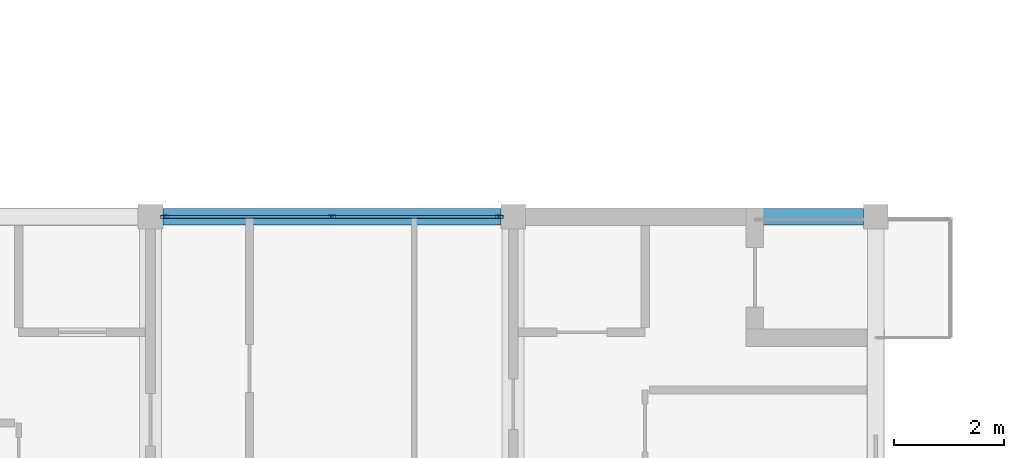
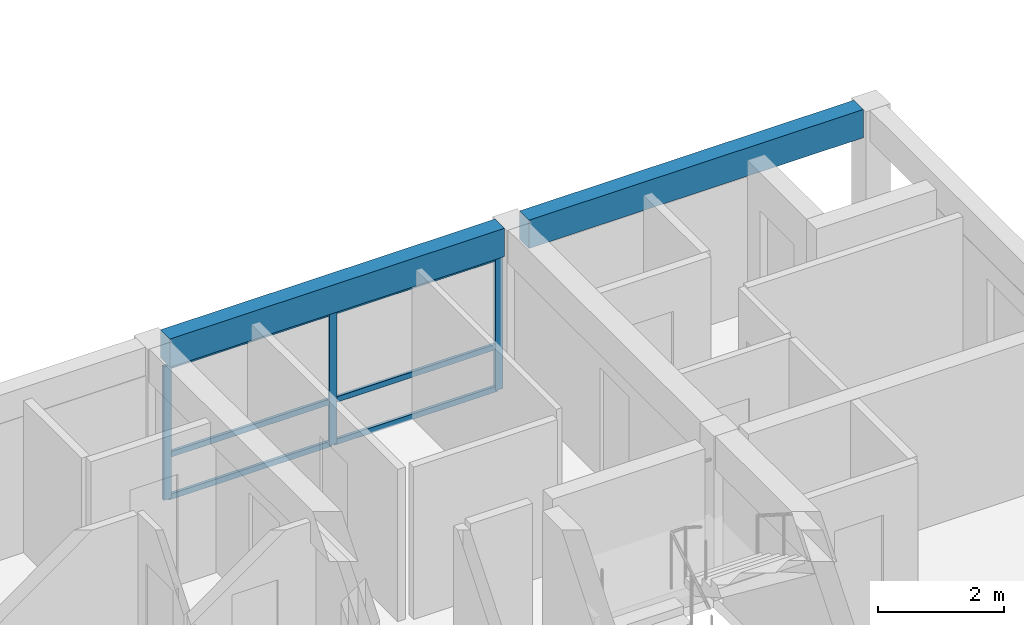
# One storey, part 14 of 45: 9 members, 2 beams, 1 element without a shape of its own.
"""IFC4 building model written with IfcOpenShell, lengths in metres."""

from ifc_helpers import new_model, si_unit, direction, frame, origin, origin_2d, place, context, subcontext, project, spatial, rectangle, hollow_rectangle, extrude, material, material_profile, profile_set, type_object, element, aggregate, save


model = new_model("IFC4")

# Units and contexts
model_context = context("Model", 3, precision=1e-05, world=origin(), true_north=direction((0.0, 1.0)))
body_context = subcontext(model_context, "Body", "Model", "MODEL_VIEW")
ifc_project = project(units=[si_unit("LENGTHUNIT", "METRE"), si_unit("AREAUNIT", "SQUARE_METRE"), si_unit("VOLUMEUNIT", "CUBIC_METRE"), si_unit("PLANEANGLEUNIT", "RADIAN"), si_unit("MASSUNIT", "GRAM", prefix="KILO")], contexts=[model_context])

# Site, building, storey
site_placement = place(None, origin())
site = spatial("IfcSite", under=ifc_project, at=site_placement, CompositionType="ELEMENT")
building_placement = place(site_placement, origin())
building = spatial("IfcBuilding", under=site, at=building_placement, Name="Kernevlak Ridge Housing Community", CompositionType="ELEMENT")
storey_placement = place(building_placement, frame((0.0, 0.0, 21.199951171875)))
storey = spatial("IfcBuildingStorey", under=building, at=storey_placement, Name="L06", CompositionType="ELEMENT", Elevation=21.199951171875)

# Curtain wall, members
ifc_material_1 = material(Name="Aluminium EN AW-6060 anodised and laminated glass", Category="aluminium")
curtain_wall_type = type_object("IfcCurtainWallType", Name="CW-02", PredefinedType="NOTDEFINED", material=ifc_material_1)
curtain_wall_placement = place(storey_placement, origin())
curtain_wall = element("IfcCurtainWall", 1, at=curtain_wall_placement, inside=storey, type_object=curtain_wall_type, Name="Curtain wall CW-02 CW-L06-120", PredefinedType="NOTDEFINED")
ifc_material_2 = material(Name="Aluminium EN AW-6060 anodised", Category="aluminium")
ifc_material_profile_1 = material_profile(ifc_material_2, hollow_rectangle(XDim=0.054931640625, YDim=0.139892578125, WallThickness=0.00390625, InnerFilletRadius=0.001953125, OuterFilletRadius=0.00390625, at=origin_2d()), Name="ALU 55x140x4")
ifc_profile_set_1 = profile_set([ifc_material_profile_1], Name="Aluminium EN AW-6060 anodised")
member_type_1 = type_object("IfcMemberType", Name="MU-01", PredefinedType="MULLION", material=ifc_profile_set_1)
member_1_placement = place(storey_placement, frame((132.8525390625, 42.0, 0.0), z_axis=(0.0, 0.0, 1.0), x_axis=(0.0, 1.0, 0.0)))
member_1 = element("IfcMember", 2, at=member_1_placement, type_object=member_type_1, Name="CW-02 mullion 1", PredefinedType="MULLION", context=body_context, shape_type="SweptSolid", body=[
    extrude(hollow_rectangle(XDim=0.054931640625, YDim=0.139892578125, WallThickness=0.00390625, InnerFilletRadius=0.001953125, OuterFilletRadius=0.00390625, at=origin_2d()), origin(), (0.0, 0.0, 1.0), 2.60009765625),
])
member_2_placement = place(storey_placement, frame((135.89990234375, 42.0, 0.0), z_axis=(0.0, 0.0, 1.0), x_axis=(0.0, 1.0, 0.0)))
member_2 = element("IfcMember", 3, at=member_2_placement, type_object=member_type_1, Name="CW-02 mullion 2", PredefinedType="MULLION", context=body_context, shape_type="SweptSolid", body=[
    extrude(hollow_rectangle(XDim=0.054931640625, YDim=0.139892578125, WallThickness=0.00390625, InnerFilletRadius=0.001953125, OuterFilletRadius=0.00390625, at=origin_2d()), origin(), (0.0, 0.0, 1.0), 2.60009765625),
])
member_3_placement = place(storey_placement, frame((138.947509765625, 42.0, 0.0), z_axis=(0.0, 0.0, 1.0), x_axis=(0.0, 1.0, 0.0)))
member_3 = element("IfcMember", 4, at=member_3_placement, type_object=member_type_1, Name="CW-02 mullion 3", PredefinedType="MULLION", context=body_context, shape_type="SweptSolid", body=[
    extrude(hollow_rectangle(XDim=0.054931640625, YDim=0.139892578125, WallThickness=0.00390625, InnerFilletRadius=0.001953125, OuterFilletRadius=0.00390625, at=origin_2d()), origin(), (0.0, 0.0, 1.0), 2.60009765625),
])

# Beams
ifc_material_3 = material(Name="Concrete C35/45", Category="concrete")
ifc_material_profile_2 = material_profile(ifc_material_3, rectangle(XDim=0.300048828125, YDim=0.550048828125, at=origin_2d()), Name="RC 300x550")
ifc_profile_set_2 = profile_set([ifc_material_profile_2], Name="Concrete C35/45")
beam_type = type_object("IfcBeamType", Name="SP-01", PredefinedType="SPANDREL", material=ifc_profile_set_2)
beam_1_placement = place(storey_placement, frame((132.824951171875, 42.0, 2.925048828125), z_axis=(1.0, 0.0, 0.0), x_axis=(0.0, 1.0, 0.0)))
element("IfcBeam", 5, at=beam_1_placement, inside=storey, type_object=beam_type, Name="Beam SP-01 L06 1154", PredefinedType="SPANDREL", context=body_context, shape_type="SweptSolid", body=[
    extrude(rectangle(XDim=0.300048828125, YDim=0.550048828125, at=origin_2d()), origin(), (0.0, 0.0, 1.0), 6.150146484375),
])
beam_2_placement = place(storey_placement, frame((139.425048828125, 42.0, 2.925048828125), z_axis=(1.0, 0.0, 0.0), x_axis=(0.0, 1.0, 0.0)))
element("IfcBeam", 6, at=beam_2_placement, inside=storey, type_object=beam_type, Name="Beam SP-01 L06 1155", PredefinedType="SPANDREL", context=body_context, shape_type="SweptSolid", body=[
    extrude(rectangle(XDim=0.300048828125, YDim=0.550048828125, at=origin_2d()), origin(), (0.0, 0.0, 1.0), 6.14990234375),
])

# Member
ifc_material_profile_3 = material_profile(ifc_material_2, hollow_rectangle(XDim=0.054931640625, YDim=0.110107421875, WallThickness=0.00390625, InnerFilletRadius=0.001953125, OuterFilletRadius=0.00390625, at=origin_2d()), Name="ALU 55x110x4")
ifc_profile_set_3 = profile_set([ifc_material_profile_3], Name="Aluminium EN AW-6060 anodised")
member_type_2 = type_object("IfcMemberType", Name="TM-01", PredefinedType="USERDEFINED", material=ifc_profile_set_3)
member_4_placement = place(storey_placement, frame((132.8798828125, 42.0, 0.027587890625), z_axis=(1.0, 0.0, 0.0), x_axis=(0.0, 1.0, 0.0)))
member_4 = element("IfcMember", 7, at=member_4_placement, type_object=member_type_2, Name="CW-02 transom 1.1", ObjectType="TRANSOM", PredefinedType="USERDEFINED", context=body_context, shape_type="SweptSolid", body=[
    extrude(hollow_rectangle(XDim=0.054931640625, YDim=0.110107421875, WallThickness=0.00390625, InnerFilletRadius=0.001953125, OuterFilletRadius=0.00390625, at=origin_2d()), origin(), (0.0, 0.0, 1.0), 2.99267578125),
])

member_5_placement = place(storey_placement, frame((132.8798828125, 42.0, 0.85009765625), z_axis=(1.0, 0.0, 0.0), x_axis=(0.0, 1.0, 0.0)))
member_5 = element("IfcMember", 8, at=member_5_placement, type_object=member_type_2, Name="CW-02 transom 1.2", ObjectType="TRANSOM", PredefinedType="USERDEFINED", context=body_context, shape_type="SweptSolid", body=[
    extrude(hollow_rectangle(XDim=0.054931640625, YDim=0.110107421875, WallThickness=0.00390625, InnerFilletRadius=0.001953125, OuterFilletRadius=0.00390625, at=origin_2d()), origin(), (0.0, 0.0, 1.0), 2.99267578125),
])

member_6_placement = place(storey_placement, frame((132.8798828125, 42.0, 2.572509765625), z_axis=(1.0, 0.0, 0.0), x_axis=(0.0, 1.0, 0.0)))
member_6 = element("IfcMember", 9, at=member_6_placement, type_object=member_type_2, Name="CW-02 transom 1.3", ObjectType="TRANSOM", PredefinedType="USERDEFINED", context=body_context, shape_type="SweptSolid", body=[
    extrude(hollow_rectangle(XDim=0.054931640625, YDim=0.110107421875, WallThickness=0.00390625, InnerFilletRadius=0.001953125, OuterFilletRadius=0.00390625, at=origin_2d()), origin(), (0.0, 0.0, 1.0), 2.99267578125),
])

member_7_placement = place(storey_placement, frame((135.927490234375, 42.0, 0.027587890625), z_axis=(1.0, 0.0, 0.0), x_axis=(0.0, 1.0, 0.0)))
member_7 = element("IfcMember", 10, at=member_7_placement, type_object=member_type_2, Name="CW-02 transom 2.1", ObjectType="TRANSOM", PredefinedType="USERDEFINED", context=body_context, shape_type="SweptSolid", body=[
    extrude(hollow_rectangle(XDim=0.054931640625, YDim=0.110107421875, WallThickness=0.00390625, InnerFilletRadius=0.001953125, OuterFilletRadius=0.00390625, at=origin_2d()), origin(), (0.0, 0.0, 1.0), 2.992431640625),
])

member_8_placement = place(storey_placement, frame((135.927490234375, 42.0, 0.85009765625), z_axis=(1.0, 0.0, 0.0), x_axis=(0.0, 1.0, 0.0)))
member_8 = element("IfcMember", 11, at=member_8_placement, type_object=member_type_2, Name="CW-02 transom 2.2", ObjectType="TRANSOM", PredefinedType="USERDEFINED", context=body_context, shape_type="SweptSolid", body=[
    extrude(hollow_rectangle(XDim=0.054931640625, YDim=0.110107421875, WallThickness=0.00390625, InnerFilletRadius=0.001953125, OuterFilletRadius=0.00390625, at=origin_2d()), origin(), (0.0, 0.0, 1.0), 2.992431640625),
])

member_9_placement = place(storey_placement, frame((135.927490234375, 42.0, 2.572509765625), z_axis=(1.0, 0.0, 0.0), x_axis=(0.0, 1.0, 0.0)))
member_9 = element("IfcMember", 12, at=member_9_placement, type_object=member_type_2, Name="CW-02 transom 2.3", ObjectType="TRANSOM", PredefinedType="USERDEFINED", context=body_context, shape_type="SweptSolid", body=[
    extrude(hollow_rectangle(XDim=0.054931640625, YDim=0.110107421875, WallThickness=0.00390625, InnerFilletRadius=0.001953125, OuterFilletRadius=0.00390625, at=origin_2d()), origin(), (0.0, 0.0, 1.0), 2.992431640625),
])

aggregate(curtain_wall, [member_1, member_2, member_3, member_4, member_5, member_6, member_7, member_8, member_9])

save(model, "model.ifc")
